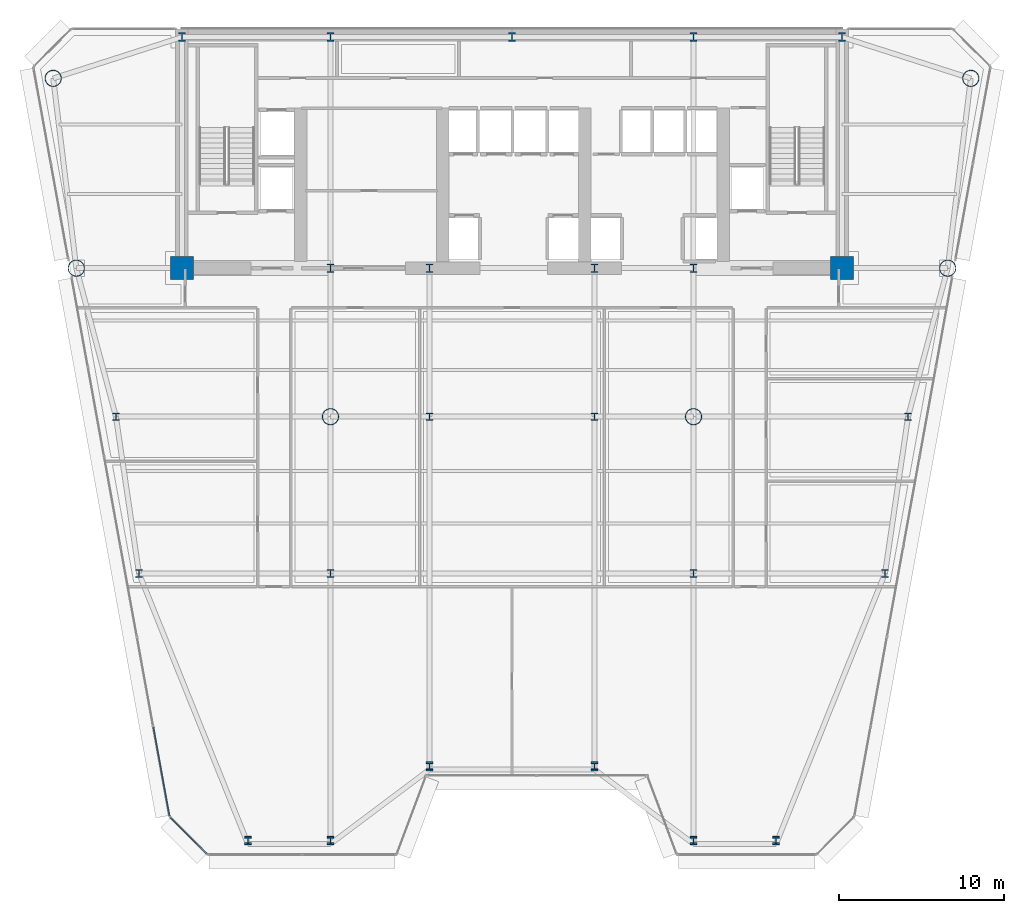
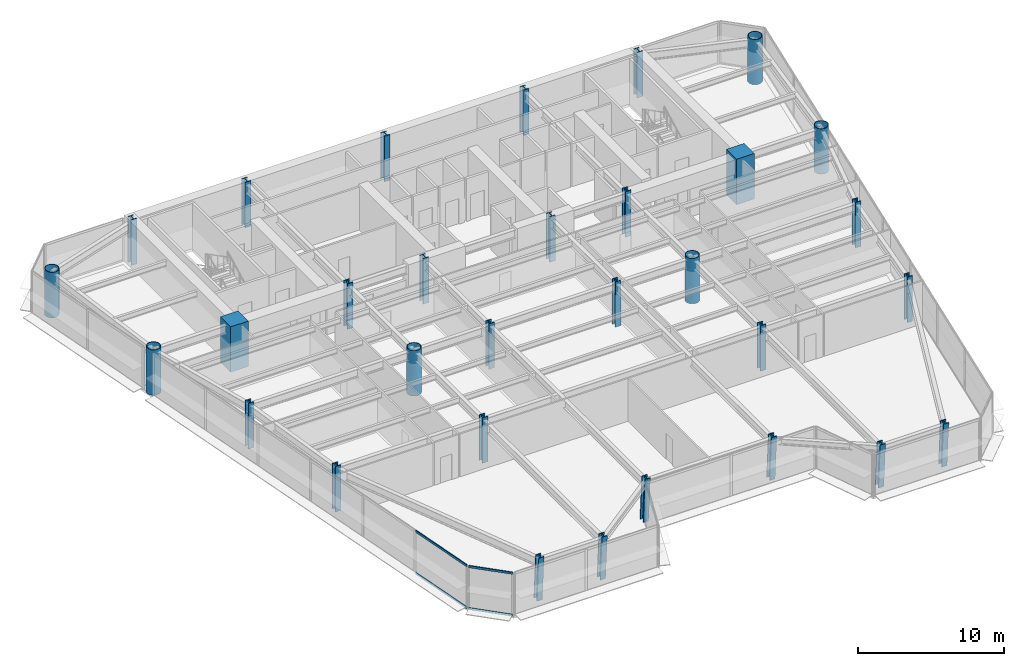
# One storey, part 1 of 14: 31 columns, 4 members, 2 elements without a shape of their own.
"""IFC4 building model written with IfcOpenShell, lengths in metres."""

from ifc_helpers import new_model, si_unit, direction, frame, origin, origin_2d, place, context, subcontext, project, spatial, rectangle, hollow_circle, i_section, extrude, source, transform, mapped, material, layer, layer_set, material_profile, profile_set, type_object, element, aggregate, save


model = new_model("IFC4")

# Units and contexts
model_context = context("Model", 3, precision=1e-05, world=origin(), true_north=direction((0.0, 1.0)))
body_context = subcontext(model_context, "Body", "Model", "MODEL_VIEW")
ifc_project = project(units=[si_unit("LENGTHUNIT", "METRE"), si_unit("AREAUNIT", "SQUARE_METRE"), si_unit("VOLUMEUNIT", "CUBIC_METRE"), si_unit("PLANEANGLEUNIT", "RADIAN"), si_unit("MASSUNIT", "GRAM", prefix="KILO")], contexts=[model_context])

# Site, building, storey
site_placement = place(None, origin())
site = spatial("IfcSite", under=ifc_project, at=site_placement, CompositionType="ELEMENT")
building_placement = place(site_placement, origin())
building = spatial("IfcBuilding", under=site, at=building_placement, Name="Vaeldorn Concourse Tower", CompositionType="ELEMENT")
storey_placement = place(building_placement, frame((0.0, 0.0, 130.0)))
storey = spatial("IfcBuildingStorey", under=building, at=storey_placement, Name="L33", CompositionType="ELEMENT", Elevation=130.0)

# Columns
ifc_material_1 = material(Name="Concrete C60/75", Category="concrete")
ifc_material_profile_1 = material_profile(ifc_material_1, rectangle(XDim=1.39990234375, YDim=1.39990234375, at=origin_2d()), Name="RC 1400x1400")
ifc_profile_set_1 = profile_set([ifc_material_profile_1], Name="Concrete C60/75")
column_type_1 = type_object("IfcColumnType", Name="COL-RC1400", PredefinedType="COLUMN", material=ifc_profile_set_1)
shared_shape_1 = source(origin(), body_context, "Body", "SweptSolid", [
    extrude(rectangle(XDim=1.39990234375, YDim=1.39990234375, at=origin_2d()), origin(), (0.0, 0.0, 1.0), 3.800048828125),
])
for number, where, z_axis, x_axis, name in (
    (1, (14.0, 36.5, 0.0), (0.0, 0.0, 1.0), (1.0, 0.0, 0.0), "Column C-FC1 L33"),
    (2, (54.0, 36.5, 0.0), (0.0, 0.0, 1.0), (1.0, 0.0, 0.0), "Column C-FC6 L33"),
):
    element("IfcColumn", number, at=place(storey_placement, frame(where, z_axis=z_axis, x_axis=x_axis)), inside=storey, type_object=column_type_1, Name=name, PredefinedType="COLUMN", context=body_context, shape_type="MappedRepresentation", body=[
        mapped(shared_shape_1, transform((0.0, 0.0, 0.0), scale=1.0)),
    ])
ifc_material_2 = material(Name="Steel S460", Category="steel")
ifc_material_profile_2 = material_profile(ifc_material_2, i_section(OverallWidth=0.44189453125, OverallDepth=0.531005859375, WebThickness=0.06494140625, FlangeThickness=0.075927734375, FilletRadius=0.014892578125, at=origin_2d()), Name="HD 400x900")
ifc_profile_set_2 = profile_set([ifc_material_profile_2], Name="Steel S460")
column_type_2 = type_object("IfcColumnType", Name="COL-HD900", PredefinedType="COLUMN", material=ifc_profile_set_2)
shared_shape_2 = source(origin(), body_context, "Body", "SweptSolid", [
    extrude(i_section(OverallWidth=0.44189453125, OverallDepth=0.531005859375, WebThickness=0.06494140625, FlangeThickness=0.075927734375, FilletRadius=0.014892578125, at=origin_2d()), origin(), (0.0, 0.0, 1.0), 3.800048828125),
])
for number, where, z_axis, x_axis, name in (
    (3, (23.0, 36.5, 0.0), (0.0, 0.0, 1.0), (1.0, 0.0, 0.0), "Column C-FC2 L33"),
    (4, (29.0, 36.5, 0.0), (0.0, 0.0, 1.0), (1.0, 0.0, 0.0), "Column C-FC3 L33"),
    (5, (39.0, 36.5, 0.0), (0.0, 0.0, 1.0), (1.0, 0.0, 0.0), "Column C-FC4 L33"),
    (6, (45.0, 36.5, 0.0), (0.0, 0.0, 1.0), (1.0, 0.0, 0.0), "Column C-FC5 L33"),
    (7, (14.0, 50.5, 0.0), (0.0, 0.0, 1.0), (1.0, 0.0, 0.0), "Column C-HC1 L33"),
    (8, (23.0, 50.5, 0.0), (0.0, 0.0, 1.0), (1.0, 0.0, 0.0), "Column C-HC2 L33"),
    (9, (34.0, 50.5, 0.0), (0.0, 0.0, 1.0), (1.0, 0.0, 0.0), "Column C-HC3 L33"),
    (10, (45.0, 50.5, 0.0), (0.0, 0.0, 1.0), (1.0, 0.0, 0.0), "Column C-HC4 L33"),
    (11, (54.0, 50.5, 0.0), (0.0, 0.0, 1.0), (1.0, 0.0, 0.0), "Column C-HC5 L33"),
):
    element("IfcColumn", number, at=place(storey_placement, frame(where, z_axis=z_axis, x_axis=x_axis)), inside=storey, type_object=column_type_2, Name=name, PredefinedType="COLUMN", context=body_context, shape_type="MappedRepresentation", body=[
        mapped(shared_shape_2, transform((0.0, 0.0, 0.0), scale=1.0)),
    ])
ifc_material_profile_3 = material_profile(ifc_material_2, hollow_circle(Radius=0.508056640625, WallThickness=0.044921875, at=origin_2d()), Name="CHS 1016x45")
ifc_profile_set_3 = profile_set([ifc_material_profile_3], Name="Steel S460")
column_type_3 = type_object("IfcColumnType", Name="COL-CHS1016", PredefinedType="COLUMN", material=ifc_profile_set_3)
shared_shape_3 = source(origin(), body_context, "Body", "SweptSolid", [
    extrude(hollow_circle(Radius=0.508056640625, WallThickness=0.044921875, at=origin_2d()), origin(), (0.0, 0.0, 1.0), 3.800048828125),
])
for number, where, z_axis, x_axis, name in (
    (12, (6.199951171875, 48.0, 0.0), (0.0, 0.0, 1.0), (1.0, 0.0, 0.0), "Column C-NW1 L33"),
    (13, (7.60009765625, 36.5, 0.0), (0.0, 0.0, 1.0), (1.0, 0.0, 0.0), "Column C-NW2 L33"),
    (14, (61.800048828125, 48.0, 0.0), (0.0, 0.0, 1.0), (1.0, 0.0, 0.0), "Column C-NE1 L33"),
    (15, (60.39990234375, 36.5, 0.0), (0.0, 0.0, 1.0), (1.0, 0.0, 0.0), "Column C-NE2 L33"),
    (16, (23.0, 27.5, 0.0), (0.0, 0.0, 1.0), (1.0, 0.0, 0.0), "Column C-TW1 L33"),
    (17, (45.0, 27.5, 0.0), (0.0, 0.0, 1.0), (1.0, 0.0, 0.0), "Column C-TW4 L33"),
):
    element("IfcColumn", number, at=place(storey_placement, frame(where, z_axis=z_axis, x_axis=x_axis)), inside=storey, type_object=column_type_3, Name=name, PredefinedType="COLUMN", context=body_context, shape_type="MappedRepresentation", body=[
        mapped(shared_shape_3, transform((0.0, 0.0, 0.0), scale=1.0)),
    ])
ifc_material_profile_4 = material_profile(ifc_material_2, i_section(OverallWidth=0.424072265625, OverallDepth=0.47412109375, WebThickness=0.047119140625, FlangeThickness=0.06494140625, FilletRadius=0.014892578125, at=origin_2d()), Name="HD 400x634")
ifc_profile_set_4 = profile_set([ifc_material_profile_4], Name="Steel S460")
column_type_4 = type_object("IfcColumnType", Name="COL-HD634F", PredefinedType="COLUMN", material=ifc_profile_set_4)
shared_shape_4 = source(origin(), body_context, "Body", "SweptSolid", [
    extrude(i_section(OverallWidth=0.424072265625, OverallDepth=0.47412109375, WebThickness=0.047119140625, FlangeThickness=0.06494140625, FilletRadius=0.014892578125, at=origin_2d()), origin(), (0.0, 0.0, 1.0), 3.800048828125),
])
for number, where, z_axis, x_axis, name in (
    (18, (10.0, 27.5, 0.0), (0.0, 0.0, 1.0), (1.0, 0.0, 0.0), "Column C-FLW1 L33"),
    (19, (11.39990234375, 18.0, 0.0), (0.0, 0.0, 1.0), (1.0, 0.0, 0.0), "Column C-FLW2 L33"),
    (20, (58.0, 27.5, 0.0), (0.0, 0.0, 1.0), (1.0, 0.0, 0.0), "Column C-FLE1 L33"),
    (21, (56.60009765625, 18.0, 0.0), (0.0, 0.0, 1.0), (1.0, 0.0, 0.0), "Column C-FLE2 L33"),
):
    element("IfcColumn", number, at=place(storey_placement, frame(where, z_axis=z_axis, x_axis=x_axis)), inside=storey, type_object=column_type_4, Name=name, PredefinedType="COLUMN", context=body_context, shape_type="MappedRepresentation", body=[
        mapped(shared_shape_4, transform((0.0, 0.0, 0.0), scale=1.0)),
    ])
ifc_material_profile_5 = material_profile(ifc_material_2, i_section(OverallWidth=0.424072265625, OverallDepth=0.47412109375, WebThickness=0.047119140625, FlangeThickness=0.06494140625, FilletRadius=0.014892578125, at=origin_2d()), Name="HD 400x634")
ifc_profile_set_5 = profile_set([ifc_material_profile_5], Name="Steel S460")
column_type_5 = type_object("IfcColumnType", Name="COL-HD634T", PredefinedType="COLUMN", material=ifc_profile_set_5)
shared_shape_5 = source(origin(), body_context, "Body", "SweptSolid", [
    extrude(i_section(OverallWidth=0.424072265625, OverallDepth=0.47412109375, WebThickness=0.047119140625, FlangeThickness=0.06494140625, FilletRadius=0.014892578125, at=origin_2d()), origin(), (0.0, 0.0, 1.0), 3.800048828125),
])
for number, where, z_axis, x_axis, name in (
    (22, (29.0, 27.5, 0.0), (0.0, 0.0, 1.0), (1.0, 0.0, 0.0), "Column C-TW2 L33"),
    (23, (39.0, 27.5, 0.0), (0.0, 0.0, 1.0), (1.0, 0.0, 0.0), "Column C-TW3 L33"),
    (24, (23.0, 18.0, 0.0), (0.0, 0.0, 1.0), (1.0, 0.0, 0.0), "Column C-TW5 L33"),
    (25, (45.0, 18.0, 0.0), (0.0, 0.0, 1.0), (1.0, 0.0, 0.0), "Column C-TW6 L33"),
):
    element("IfcColumn", number, at=place(storey_placement, frame(where, z_axis=z_axis, x_axis=x_axis)), inside=storey, type_object=column_type_5, Name=name, PredefinedType="COLUMN", context=body_context, shape_type="MappedRepresentation", body=[
        mapped(shared_shape_5, transform((0.0, 0.0, 0.0), scale=1.0)),
    ])
shared_shape_6 = source(origin(), body_context, "Body", "SweptSolid", [
    extrude(i_section(OverallWidth=0.424072265625, OverallDepth=0.47412109375, WebThickness=0.047119140625, FlangeThickness=0.06494140625, FilletRadius=0.014892578125, at=origin_2d()), origin(), (0.0, 0.0, 1.0), 3.74365234375),
])
for number, where, z_axis, x_axis, name in (
    (26, (18.0, 1.856201171875, 0.031982421875), (0.0, -0.063843869911, 0.997959899132), (1.0, 0.0, 0.0), "Column C-SF1 L33"),
    (27, (23.0, 1.856201171875, 0.031982421875), (0.0, -0.063843869911, 0.997959899132), (1.0, 0.0, 0.0), "Column C-SF2 L33"),
    (28, (29.0, 6.356201171875, 0.031982421875), (0.0, -0.063843869911, 0.997959899132), (1.0, 0.0, 0.0), "Column C-SF3 L33"),
    (29, (39.0, 6.356201171875, 0.031982421875), (0.0, -0.063843869911, 0.997959899132), (1.0, 0.0, 0.0), "Column C-SF4 L33"),
    (30, (45.0, 1.856201171875, 0.031982421875), (0.0, -0.063843869911, 0.997959899132), (1.0, 0.0, 0.0), "Column C-SF5 L33"),
    (31, (50.0, 1.856201171875, 0.031982421875), (0.0, -0.063843869911, 0.997959899132), (1.0, 0.0, 0.0), "Column C-SF6 L33"),
):
    element("IfcColumn", number, at=place(storey_placement, frame(where, z_axis=z_axis, x_axis=x_axis)), inside=storey, type_object=column_type_5, Name=name, PredefinedType="COLUMN", context=body_context, shape_type="MappedRepresentation", body=[
        mapped(shared_shape_6, transform((0.0, 0.0, 0.0), scale=1.0)),
    ])

# Curtain wall, members
ifc_material_3 = material(Name="Anodised Bronze Aluminium", Category="aluminium")
ifc_layer = layer(ifc_material_3, 0.199951171875)
ifc_layer_set = layer_set([ifc_layer], Name="Anodised Bronze Aluminium")
curtain_wall_type = type_object("IfcCurtainWallType", Name="CW-SYS-02", PredefinedType="NOTDEFINED", material=ifc_layer_set)
curtain_wall_1_placement = place(storey_placement, origin())
curtain_wall_1 = element("IfcCurtainWall", 32, at=curtain_wall_1_placement, inside=storey, type_object=curtain_wall_type, Name="Unitised Curtain Wall CW-L33-E12-1", PredefinedType="NOTDEFINED")
ifc_material_profile_6 = material_profile(ifc_material_3, rectangle(XDim=0.074951171875, YDim=0.179931640625, at=origin_2d()), Name="CWT 75x180")
ifc_profile_set_6 = profile_set([ifc_material_profile_6], Name="Anodised Bronze Aluminium")
member_type = type_object("IfcMemberType", Name="CWT-BRONZE-180", PredefinedType="USERDEFINED", material=ifc_profile_set_6)
shared_shape_7 = source(origin(), body_context, "Body", "SweptSolid", [
    extrude(rectangle(XDim=0.074951171875, YDim=0.179931640625, at=origin_2d()), origin(), (0.0, 0.0, 1.0), 3.102783203125),
])
member_1_placement = place(storey_placement, frame((13.310302734375, 3.203369140625, 0.03759765625), z_axis=(0.707067437368, -0.707146122816, 0.0), x_axis=(0.707146122816, 0.707067437368, 0.0)))
member_1 = element("IfcMember", 33, at=member_1_placement, type_object=member_type, Name="CW-02 transom 1.1", ObjectType="TRANSOM", PredefinedType="USERDEFINED", context=body_context, shape_type="MappedRepresentation", body=[
    mapped(shared_shape_7, transform((0.0, 0.0, 0.0), scale=1.0)),
])
member_2_placement = place(storey_placement, frame((13.310302734375, 3.203369140625, 3.54248046875), z_axis=(0.707067437368, -0.707146122816, 0.0), x_axis=(0.707146122816, 0.707067437368, 0.0)))
member_2 = element("IfcMember", 34, at=member_2_placement, type_object=member_type, Name="CW-02 transom 1.2", ObjectType="TRANSOM", PredefinedType="USERDEFINED", context=body_context, shape_type="MappedRepresentation", body=[
    mapped(shared_shape_7, transform((0.0, 0.0, 0.0), scale=1.0)),
])
aggregate(curtain_wall_1, [member_1, member_2])

curtain_wall_2_placement = place(storey_placement, origin())
curtain_wall_2 = element("IfcCurtainWall", 35, at=curtain_wall_2_placement, inside=storey, type_object=curtain_wall_type, Name="Unitised Curtain Wall CW-L33-E11-2", PredefinedType="NOTDEFINED")
shared_shape_8 = source(origin(), body_context, "Body", "SweptSolid", [
    extrude(rectangle(XDim=0.074951171875, YDim=0.179931640625, at=origin_2d()), origin(), (0.0, 0.0, 1.0), 5.430908203125),
])
member_3_placement = place(storey_placement, frame((12.27294921875, 8.673583984375, 0.03759765625), z_axis=(0.178778628491, -0.983889324058, 0.0), x_axis=(0.983889324058, 0.178778628491, 0.0)))
member_3 = element("IfcMember", 36, at=member_3_placement, type_object=member_type, Name="CW-02 transom 6.1", ObjectType="TRANSOM", PredefinedType="USERDEFINED", context=body_context, shape_type="MappedRepresentation", body=[
    mapped(shared_shape_8, transform((0.0, 0.0, 0.0), scale=1.0)),
])
member_4_placement = place(storey_placement, frame((12.27294921875, 8.673583984375, 3.54248046875), z_axis=(0.178778628491, -0.983889324058, 0.0), x_axis=(0.983889324058, 0.178778628491, 0.0)))
member_4 = element("IfcMember", 37, at=member_4_placement, type_object=member_type, Name="CW-02 transom 6.2", ObjectType="TRANSOM", PredefinedType="USERDEFINED", context=body_context, shape_type="MappedRepresentation", body=[
    mapped(shared_shape_8, transform((0.0, 0.0, 0.0), scale=1.0)),
])
aggregate(curtain_wall_2, [member_3, member_4])

save(model, "model.ifc")
